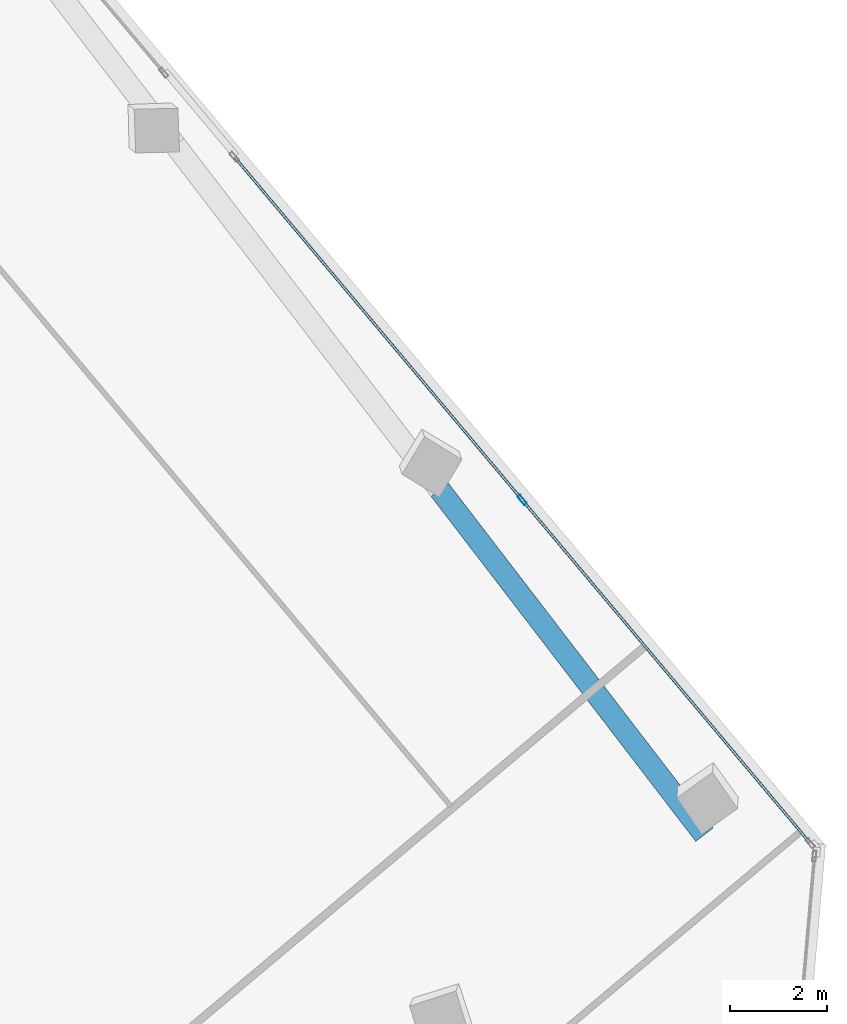
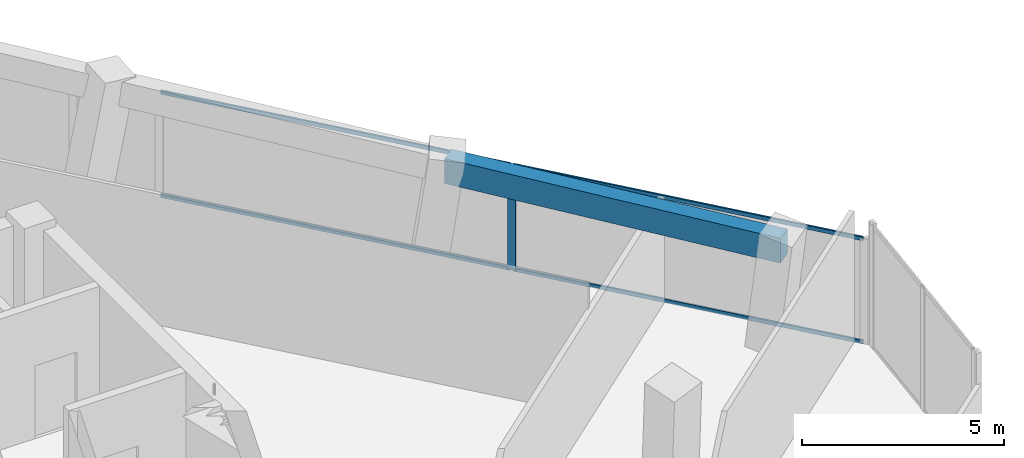
# One storey, part 7 of 17: 5 members, 1 beam, 1 element without a shape of its own.
"""IFC4 building model written with IfcOpenShell, lengths in metres."""

from ifc_helpers import new_model, si_unit, direction, frame, origin, origin_2d, place, context, subcontext, project, spatial, rectangle, hollow_rectangle, extrude, source, transform, mapped, material, material_profile, profile_set, type_object, element, aggregate, save


model = new_model("IFC4")

# Units and contexts
model_context = context("Model", 3, precision=1e-05, world=origin(), true_north=direction((0.0, 1.0)))
body_context = subcontext(model_context, "Body", "Model", "MODEL_VIEW")
ifc_project = project(units=[si_unit("LENGTHUNIT", "METRE"), si_unit("AREAUNIT", "SQUARE_METRE"), si_unit("VOLUMEUNIT", "CUBIC_METRE"), si_unit("PLANEANGLEUNIT", "RADIAN"), si_unit("MASSUNIT", "GRAM", prefix="KILO")], contexts=[model_context])

# Site, building, storey
site_placement = place(None, origin())
site = spatial("IfcSite", under=ifc_project, at=site_placement, CompositionType="ELEMENT")
building_placement = place(site_placement, origin())
building = spatial("IfcBuilding", under=site, at=building_placement, Name="Torre Montelarca", CompositionType="ELEMENT")
storey_placement = place(building_placement, frame((0.0, 0.0, 275.199951171875)))
storey = spatial("IfcBuildingStorey", under=building, at=storey_placement, Name="L62", CompositionType="ELEMENT", Elevation=275.199951171875)

# Beam
ifc_material_1 = material(Name="Concrete C55/67", Category="concrete")
ifc_material_profile_1 = material_profile(ifc_material_1, rectangle(XDim=0.449951171875, YDim=0.75, at=origin_2d()), Name="RCB450X750", Category="concrete")
ifc_profile_set_1 = profile_set([ifc_material_profile_1], Name="Concrete C55/67")
beam_type = type_object("IfcBeamType", Name="BM-SP-RC750-EXT", PredefinedType="SPANDREL", material=ifc_profile_set_1)
shared_shape_1 = source(origin(), body_context, "Body", "SweptSolid", [
    extrude(rectangle(XDim=0.449951171875, YDim=0.75, at=origin_2d()), origin(), (0.0, 0.0, 1.0), 9.0),
])
beam_placement = place(storey_placement, frame((36.867431640625, 36.859375, 3.5849609375), z_axis=(0.608744143222, -0.793366603842, 0.0), x_axis=(0.793366603842, 0.608744143222, 0.0)))
element("IfcBeam", 1, at=beam_placement, inside=storey, type_object=beam_type, Name="L62 Grid Girder X 27.0-36.0 at Y=47.1", PredefinedType="SPANDREL", context=body_context, shape_type="MappedRepresentation", body=[
    mapped(shared_shape_1, transform((0.0, 0.0, 0.0), scale=1.0)),
])

# Curtain wall, members
ifc_material_2 = material(Name="Insulated low-E laminated glass", Category="glass")
curtain_wall_type = type_object("IfcCurtainWallType", Name="CW-SYS-Z3", PredefinedType="USERDEFINED", material=ifc_material_2)
curtain_wall_placement = place(storey_placement, origin())
curtain_wall = element("IfcCurtainWall", 2, at=curtain_wall_placement, inside=storey, type_object=curtain_wall_type, Name="L62 Curtain Wall Run CW-T3-L62-E08-B1", ObjectType="UNITISED GLAZING", PredefinedType="USERDEFINED")
ifc_material_3 = material(Name="Anodised aluminium AA 6063-T6", Category="aluminium")
ifc_material_profile_2 = material_profile(ifc_material_3, hollow_rectangle(XDim=0.074951171875, YDim=0.219970703125, WallThickness=0.0048828125, InnerFilletRadius=0.0048828125, OuterFilletRadius=0.010009765625, at=origin_2d()), Name="ALU75X220X5", Category="aluminium")
ifc_profile_set_2 = profile_set([ifc_material_profile_2], Name="Anodised aluminium AA 6063-T6")
member_type_1 = type_object("IfcMemberType", Name="CWM-ALU220", PredefinedType="MULLION", material=ifc_profile_set_2)
shared_shape_2 = source(origin(), body_context, "Body", "SweptSolid", [
    extrude(hollow_rectangle(XDim=0.074951171875, YDim=0.219970703125, WallThickness=0.0048828125, InnerFilletRadius=0.0048828125, OuterFilletRadius=0.010009765625, at=origin_2d()), origin(), (0.0, 0.0, 1.0), 3.175048828125),
])
member_1_placement = place(storey_placement, frame((38.576171875, 36.650146484375, 0.0), z_axis=(0.0, 0.0, 1.0), x_axis=(-0.766046755716, -0.642784853631, 0.0)))
member_1 = element("IfcMember", 3, at=member_1_placement, type_object=member_type_1, Name="CW mullion 2", PredefinedType="MULLION", context=body_context, shape_type="MappedRepresentation", body=[
    mapped(shared_shape_2, transform((0.0, 0.0, 0.0), scale=1.0)),
])
ifc_material_profile_3 = material_profile(ifc_material_3, hollow_rectangle(XDim=0.054931640625, YDim=0.1201171875, WallThickness=0.00341796875, InnerFilletRadius=0.00341796875, OuterFilletRadius=0.007080078125, at=origin_2d()), Name="ALU55X120X3.5", Category="aluminium")
ifc_profile_set_3 = profile_set([ifc_material_profile_3], Name="Anodised aluminium AA 6063-T6")
member_type_2 = type_object("IfcMemberType", Name="CWT-ALU120", PredefinedType="USERDEFINED", material=ifc_profile_set_3)
shared_shape_3 = source(origin(), body_context, "Body", "SweptSolid", [
    extrude(hollow_rectangle(XDim=0.054931640625, YDim=0.1201171875, WallThickness=0.00341796875, InnerFilletRadius=0.00341796875, OuterFilletRadius=0.007080078125, at=origin_2d()), origin(), (0.0, 0.0, 1.0), 9.20751953125),
])
member_2_placement = place(storey_placement, frame((44.5185546875, 29.56787109375, 0.027587890625), z_axis=(-0.642780958737, 0.766050023879, 0.0), x_axis=(-0.766050023879, -0.642780958737, 0.0)))
member_2 = element("IfcMember", 4, at=member_2_placement, type_object=member_type_2, Name="CW transom 1.1", ObjectType="TRANSOM", PredefinedType="USERDEFINED", context=body_context, shape_type="MappedRepresentation", body=[
    mapped(shared_shape_3, transform((0.0, 0.0, 0.0), scale=1.0)),
])
member_3_placement = place(storey_placement, frame((44.5185546875, 29.56787109375, 3.1474609375), z_axis=(-0.642780958737, 0.766050023879, 0.0), x_axis=(-0.766050023879, -0.642780958737, 0.0)))
member_3 = element("IfcMember", 5, at=member_3_placement, type_object=member_type_2, Name="CW transom 1.2", ObjectType="TRANSOM", PredefinedType="USERDEFINED", context=body_context, shape_type="MappedRepresentation", body=[
    mapped(shared_shape_3, transform((0.0, 0.0, 0.0), scale=1.0)),
])
member_4_placement = place(storey_placement, frame((38.552001953125, 36.6787109375, 0.027587890625), z_axis=(-0.642780958737, 0.766050023879, 0.0), x_axis=(-0.766050023879, -0.642780958737, 0.0)))
member_4 = element("IfcMember", 6, at=member_4_placement, type_object=member_type_2, Name="CW transom 2.1", ObjectType="TRANSOM", PredefinedType="USERDEFINED", context=body_context, shape_type="MappedRepresentation", body=[
    mapped(shared_shape_3, transform((0.0, 0.0, 0.0), scale=1.0)),
])
member_5_placement = place(storey_placement, frame((38.552001953125, 36.6787109375, 3.1474609375), z_axis=(-0.642780958737, 0.766050023879, 0.0), x_axis=(-0.766050023879, -0.642780958737, 0.0)))
member_5 = element("IfcMember", 7, at=member_5_placement, type_object=member_type_2, Name="CW transom 2.2", ObjectType="TRANSOM", PredefinedType="USERDEFINED", context=body_context, shape_type="MappedRepresentation", body=[
    mapped(shared_shape_3, transform((0.0, 0.0, 0.0), scale=1.0)),
])
aggregate(curtain_wall, [member_1, member_2, member_3, member_4, member_5])

save(model, "model.ifc")
